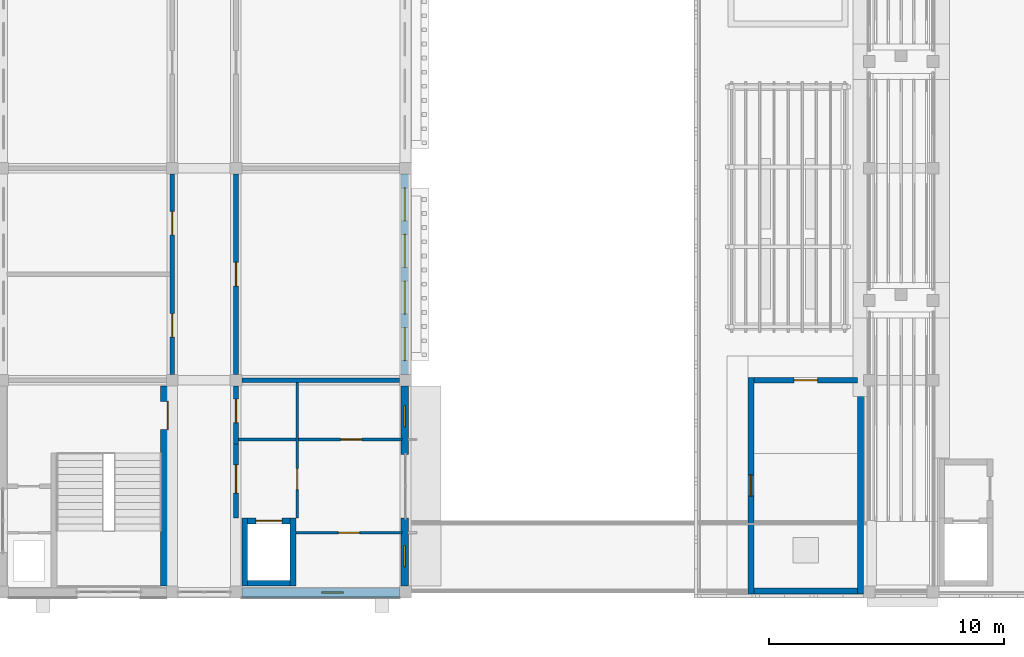
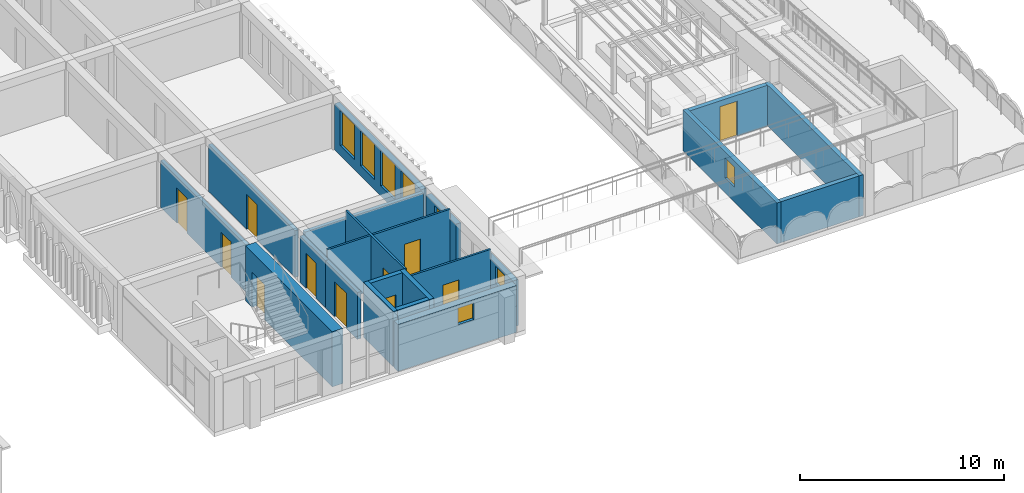
# One storey, part 43 of 70: 21 walls, 11 doors, 8 windows, 19 openings.
"""IFC4 building model written with IfcOpenShell, lengths in metres."""

from ifc_helpers import new_model, si_unit, direction, frame, frame_2d, origin, place, context, subcontext, project, spatial, rectangle, extrude, material, layer, layer_set, type_object, element, fill, save


model = new_model("IFC4")

# Units and contexts
model_context = context("Model", 3, precision=1e-05, world=origin(), true_north=direction((0.0, 1.0)))
body_context = subcontext(model_context, "Body", "Model", "MODEL_VIEW")
ifc_project = project(units=[si_unit("LENGTHUNIT", "METRE"), si_unit("AREAUNIT", "SQUARE_METRE"), si_unit("VOLUMEUNIT", "CUBIC_METRE"), si_unit("PLANEANGLEUNIT", "RADIAN"), si_unit("MASSUNIT", "GRAM", prefix="KILO")], contexts=[model_context])

# Site, building, storey
site_placement = place(None, origin())
site = spatial("IfcSite", under=ifc_project, at=site_placement, CompositionType="ELEMENT")
building_placement = place(site_placement, origin())
building = spatial("IfcBuilding", under=site, at=building_placement, Name="Elbe Cascade School", CompositionType="ELEMENT")
storey_placement = place(building_placement, frame((0.0, 0.0, 8.10009765625)))
storey = spatial("IfcBuildingStorey", under=building, at=storey_placement, Name="L02", CompositionType="ELEMENT", Elevation=8.10009765625)

# Wall, opening, door
ifc_material_1 = material(Name="Masonry - lime-sand block, plastered", Category="masonry")
ifc_layer_1 = layer(ifc_material_1, 0.199951171875)
ifc_layer_set_1 = layer_set([ifc_layer_1], Name="Masonry - lime-sand block, plastered")
wall_type_1 = type_object("IfcWallType", Name="Bar corridor wall lime-sand block 200 EI 30", PredefinedType="PARTITIONING", material=ifc_layer_set_1)
wall_1_placement = place(storey_placement, frame((138.10009765625, 12.300048828125, 0.0), z_axis=(0.0, 0.0, 1.0), x_axis=(0.0, -1.0, 0.0)))
wall_1 = element("IfcWall", 1, at=wall_1_placement, inside=storey, type_object=wall_type_1, Name="Bar corridor wall lime-sand block 200 EI 30", PredefinedType="PARTITIONING", context=body_context, shape_type="SweptSolid", body=[
    extrude(rectangle(XDim=3.150146484375, YDim=0.199951171875, at=frame_2d((1.5751953125, 0.0))), origin(), (0.0, 0.0, 1.0), 2.7998046875),
])
opening_1_placement = place(wall_1_placement, frame((0.89990234375, 0.0, 0.0)))
opening_1 = element("IfcOpeningElement", 2, at=opening_1_placement, cuts=wall_1, Name="Opening D2.058", PredefinedType="OPENING", context=body_context, shape_type="SweptSolid", body=[
    extrude(rectangle(XDim=1.199951171875, YDim=2.10009765625, at=frame_2d((0.60009765625, 1.050048828125))), frame((0.0, 0.10986328125, 0.0), z_axis=(0.0, -1.0, 0.0), x_axis=(1.0, 0.0, 0.0)), (0.0, 0.0, 1.0), 0.219970703125),
])
ifc_material_2 = material(Name="Timber door leaf, fire-resisting and smoke-tight, steel frame", Category="steel")
door_type_1 = type_object("IfcDoorType", Name="Bar door FD30S 1200x2100", OperationType="NOTDEFINED", PredefinedType="DOOR", material=ifc_material_2)
door_1_placement = place(opening_1_placement, origin())
door_1 = element("IfcDoor", 3, at=door_1_placement, inside=storey, type_object=door_type_1, Name="Door C2.06", OperationType="SINGLE_SWING_LEFT", OverallHeight=2.10009765625, OverallWidth=1.199951171875, PredefinedType="DOOR", context=body_context, shape_type="SweptSolid", body=[
    extrude(rectangle(XDim=1.199951171875, YDim=2.10009765625, at=frame_2d((0.60009765625, 1.050048828125))), frame((0.0, 0.02490234375, 0.0), z_axis=(0.0, -1.0, 0.0), x_axis=(1.0, 0.0, 0.0)), (0.0, 0.0, 1.0), 0.050048828125),
])
fill(opening_1, door_1)

wall_2_placement = place(storey_placement, frame((138.10009765625, 12.300048828125, 0.0), z_axis=(0.0, 0.0, 1.0), x_axis=(0.0, 1.0, 0.0)))
wall_2 = element("IfcWall", 4, at=wall_2_placement, inside=storey, type_object=wall_type_1, Name="Bar corridor wall lime-sand block 200 EI 30", PredefinedType="PARTITIONING", context=body_context, shape_type="SweptSolid", body=[
    extrude(rectangle(XDim=2.449951171875, YDim=0.199951171875, at=frame_2d((1.22509765625, 0.0))), origin(), (0.0, 0.0, 1.0), 2.7998046875),
])
opening_2_placement = place(wall_2_placement, frame((0.89990234375, 0.0, 0.0)))
opening_2 = element("IfcOpeningElement", 5, at=opening_2_placement, cuts=wall_2, Name="Opening D2.062", PredefinedType="OPENING", context=body_context, shape_type="SweptSolid", body=[
    extrude(rectangle(XDim=1.0, YDim=2.10009765625, at=frame_2d((0.5, 1.050048828125))), frame((0.0, 0.10986328125, 0.0), z_axis=(0.0, -1.0, 0.0), x_axis=(1.0, 0.0, 0.0)), (0.0, 0.0, 1.0), 0.219970703125),
])
ifc_material_3 = material(Name="Timber door leaf, fire-resisting, steel frame", Category="steel")
door_type_2 = type_object("IfcDoorType", Name="Bar door FD30 1000x2100", OperationType="NOTDEFINED", PredefinedType="DOOR", material=ifc_material_3)
door_2_placement = place(opening_2_placement, origin())
door_2 = element("IfcDoor", 6, at=door_2_placement, inside=storey, type_object=door_type_2, Name="Door C2.10", OperationType="SINGLE_SWING_RIGHT", OverallHeight=2.10009765625, OverallWidth=1.0, PredefinedType="DOOR", context=body_context, shape_type="SweptSolid", body=[
    extrude(rectangle(XDim=1.0, YDim=2.10009765625, at=frame_2d((0.5, 1.050048828125))), frame((0.0, 0.02490234375, 0.0), z_axis=(0.0, -1.0, 0.0), x_axis=(1.0, 0.0, 0.0)), (0.0, 0.0, 1.0), 0.050048828125),
])
fill(opening_2, door_2)

# Wall, openings, doors
wall_3_placement = place(storey_placement, frame((135.39990234375, 15.25, 0.0), z_axis=(0.0, 0.0, 1.0), x_axis=(0.0, 1.0, 0.0)))
wall_3 = element("IfcWall", 7, at=wall_3_placement, inside=storey, type_object=wall_type_1, Name="Bar corridor wall lime-sand block 200 EI 30", PredefinedType="PARTITIONING", context=body_context, shape_type="SweptSolid", body=[
    extrude(rectangle(XDim=8.5, YDim=0.199951171875, at=frame_2d((4.25, 0.0))), origin(), (0.0, 0.0, 1.0), 2.7998046875),
])
opening_3_placement = place(wall_3_placement, frame((1.581298828125, 0.0, 0.0)))
opening_3 = element("IfcOpeningElement", 8, at=opening_3_placement, cuts=wall_3, Name="Opening D2.063", PredefinedType="OPENING", context=body_context, shape_type="SweptSolid", body=[
    extrude(rectangle(XDim=1.0, YDim=2.10009765625, at=frame_2d((0.5, 1.050048828125))), frame((0.0, 0.10986328125, 0.0), z_axis=(0.0, -1.0, 0.0), x_axis=(1.0, 0.0, 0.0)), (0.0, 0.0, 1.0), 0.219970703125),
])
opening_4_placement = place(wall_3_placement, frame((5.918701171875, 0.0, 0.0)))
opening_4 = element("IfcOpeningElement", 9, at=opening_4_placement, cuts=wall_3, Name="Opening D2.065", PredefinedType="OPENING", context=body_context, shape_type="SweptSolid", body=[
    extrude(rectangle(XDim=1.0, YDim=2.10009765625, at=frame_2d((0.5, 1.050048828125))), frame((0.0, 0.10986328125, 0.0), z_axis=(0.0, -1.0, 0.0), x_axis=(1.0, 0.0, 0.0)), (0.0, 0.0, 1.0), 0.219970703125),
])
door_3_placement = place(opening_3_placement, origin())
door_3 = element("IfcDoor", 10, at=door_3_placement, inside=storey, type_object=door_type_2, Name="Door C2.19", OperationType="SINGLE_SWING_RIGHT", OverallHeight=2.10009765625, OverallWidth=1.0, PredefinedType="DOOR", context=body_context, shape_type="SweptSolid", body=[
    extrude(rectangle(XDim=1.0, YDim=2.10009765625, at=frame_2d((0.5, 1.050048828125))), frame((0.0, 0.02490234375, 0.0), z_axis=(0.0, -1.0, 0.0), x_axis=(1.0, 0.0, 0.0)), (0.0, 0.0, 1.0), 0.050048828125),
])
fill(opening_3, door_3)
door_4_placement = place(opening_4_placement, origin())
door_4 = element("IfcDoor", 11, at=door_4_placement, inside=storey, type_object=door_type_2, Name="Door C2.20", OperationType="SINGLE_SWING_LEFT", OverallHeight=2.10009765625, OverallWidth=1.0, PredefinedType="DOOR", context=body_context, shape_type="SweptSolid", body=[
    extrude(rectangle(XDim=1.0, YDim=2.10009765625, at=frame_2d((0.5, 1.050048828125))), frame((0.0, 0.02490234375, 0.0), z_axis=(0.0, -1.0, 0.0), x_axis=(1.0, 0.0, 0.0)), (0.0, 0.0, 1.0), 0.050048828125),
])
fill(opening_4, door_4)

# Wall, opening, door
wall_4_placement = place(storey_placement, frame((138.10009765625, 23.75, 0.0), z_axis=(0.0, 0.0, 1.0), x_axis=(0.0, -1.0, 0.0)))
wall_4 = element("IfcWall", 12, at=wall_4_placement, inside=storey, type_object=wall_type_1, Name="Bar corridor wall lime-sand block 200 EI 30", PredefinedType="PARTITIONING", context=body_context, shape_type="SweptSolid", body=[
    extrude(rectangle(XDim=8.5, YDim=0.199951171875, at=frame_2d((4.25, 0.0))), origin(), (0.0, 0.0, 1.0), 2.7998046875),
])
opening_5_placement = place(wall_4_placement, frame((3.75, 0.0, 0.0)))
opening_5 = element("IfcOpeningElement", 13, at=opening_5_placement, cuts=wall_4, Name="Opening D2.064", PredefinedType="OPENING", context=body_context, shape_type="SweptSolid", body=[
    extrude(rectangle(XDim=1.0, YDim=2.10009765625, at=frame_2d((0.5, 1.050048828125))), frame((0.0, 0.10986328125, 0.0), z_axis=(0.0, -1.0, 0.0), x_axis=(1.0, 0.0, 0.0)), (0.0, 0.0, 1.0), 0.219970703125),
])
door_5_placement = place(opening_5_placement, origin())
door_5 = element("IfcDoor", 14, at=door_5_placement, inside=storey, type_object=door_type_2, Name="Door C2.24", OperationType="SINGLE_SWING_LEFT", OverallHeight=2.10009765625, OverallWidth=1.0, PredefinedType="DOOR", context=body_context, shape_type="SweptSolid", body=[
    extrude(rectangle(XDim=1.0, YDim=2.10009765625, at=frame_2d((0.5, 1.050048828125))), frame((0.0, 0.02490234375, 0.0), z_axis=(0.0, -1.0, 0.0), x_axis=(1.0, 0.0, 0.0)), (0.0, 0.0, 1.0), 0.050048828125),
])
fill(opening_5, door_5)

ifc_material_4 = material(Name="Masonry - lime-sand block, plastered", Category="masonry")
ifc_layer_2 = layer(ifc_material_4, 0.114990234375)
ifc_layer_set_2 = layer_set([ifc_layer_2], Name="Masonry - lime-sand block, plastered")
wall_type_2 = type_object("IfcWallType", Name="Bar light partition wall lime-sand block 115", PredefinedType="PARTITIONING", material=ifc_layer_set_2)
wall_5_placement = place(storey_placement, frame((140.70751953125, 14.89990234375, 0.0), z_axis=(0.0, 0.0, 1.0), x_axis=(0.0, -1.0, 0.0)))
wall_5 = element("IfcWall", 15, at=wall_5_placement, inside=storey, type_object=wall_type_2, Name="Bar light partition wall lime-sand block 115", PredefinedType="PARTITIONING", context=body_context, shape_type="SweptSolid", body=[
    extrude(rectangle(XDim=5.75, YDim=0.114990234375, at=frame_2d((2.875, 0.0))), origin(), (0.0, 0.0, 1.0), 3.2998046875),
])
opening_6_placement = place(wall_5_placement, frame((3.64990234375, 0.0, 0.0)))
opening_6 = element("IfcOpeningElement", 16, at=opening_6_placement, cuts=wall_5, Name="Opening D2.059", PredefinedType="OPENING", context=body_context, shape_type="SweptSolid", body=[
    extrude(rectangle(XDim=0.89990234375, YDim=2.10009765625, at=frame_2d((0.449951171875, 1.050048828125))), frame((0.0, 0.0673828125, 0.0), z_axis=(0.0, -1.0, 0.0), x_axis=(1.0, 0.0, 0.0)), (0.0, 0.0, 1.0), 0.135009765625),
])
ifc_material_5 = material(Name="Timber door leaf, steel frame", Category="steel")
door_type_3 = type_object("IfcDoorType", Name="Bar door 900x2100", OperationType="NOTDEFINED", PredefinedType="DOOR", material=ifc_material_5)
door_6_placement = place(opening_6_placement, origin())
door_6 = element("IfcDoor", 17, at=door_6_placement, inside=storey, type_object=door_type_3, Name="Door C2.07", OperationType="SINGLE_SWING_LEFT", OverallHeight=2.10009765625, OverallWidth=0.89990234375, PredefinedType="DOOR", context=body_context, shape_type="SweptSolid", body=[
    extrude(rectangle(XDim=0.89990234375, YDim=2.10009765625, at=frame_2d((0.449951171875, 1.050048828125))), frame((0.0, 0.02490234375, 0.0), z_axis=(0.0, -1.0, 0.0), x_axis=(1.0, 0.0, 0.0)), (0.0, 0.0, 1.0), 0.050048828125),
])
fill(opening_6, door_6)

wall_6_placement = place(storey_placement, frame((145.14990234375, 8.52001953125, 0.0), z_axis=(0.0, 0.0, 1.0), x_axis=(-1.0, 0.0, 0.0)))
wall_6 = element("IfcWall", 18, at=wall_6_placement, inside=storey, type_object=wall_type_2, Name="Bar light partition wall lime-sand block 115", PredefinedType="PARTITIONING", context=body_context, shape_type="SweptSolid", body=[
    extrude(rectangle(XDim=4.5, YDim=0.114990234375, at=frame_2d((2.25, 0.0))), origin(), (0.0, 0.0, 1.0), 3.2998046875),
])
opening_7_placement = place(wall_6_placement, frame((1.800048828125, 0.0, 0.0)))
opening_7 = element("IfcOpeningElement", 19, at=opening_7_placement, cuts=wall_6, Name="Opening D2.055", PredefinedType="OPENING", context=body_context, shape_type="SweptSolid", body=[
    extrude(rectangle(XDim=0.89990234375, YDim=2.10009765625, at=frame_2d((0.449951171875, 1.050048828125))), frame((0.0, 0.0673828125, 0.0), z_axis=(0.0, -1.0, 0.0), x_axis=(1.0, 0.0, 0.0)), (0.0, 0.0, 1.0), 0.135009765625),
])
door_7_placement = place(opening_7_placement, origin())
door_7 = element("IfcDoor", 20, at=door_7_placement, inside=storey, type_object=door_type_3, Name="Door C2.08", OperationType="SINGLE_SWING_LEFT", OverallHeight=2.10009765625, OverallWidth=0.89990234375, PredefinedType="DOOR", context=body_context, shape_type="SweptSolid", body=[
    extrude(rectangle(XDim=0.89990234375, YDim=2.10009765625, at=frame_2d((0.449951171875, 1.050048828125))), frame((0.0, 0.02490234375, 0.0), z_axis=(0.0, -1.0, 0.0), x_axis=(1.0, 0.0, 0.0)), (0.0, 0.0, 1.0), 0.050048828125),
])
fill(opening_7, door_7)

wall_7_placement = place(storey_placement, frame((138.199951171875, 12.47998046875, 0.0), z_axis=(0.0, 0.0, 1.0), x_axis=(1.0, 0.0, 0.0)))
wall_7 = element("IfcWall", 21, at=wall_7_placement, inside=storey, type_object=wall_type_2, Name="Bar light partition wall lime-sand block 115", PredefinedType="PARTITIONING", context=body_context, shape_type="SweptSolid", body=[
    extrude(rectangle(XDim=6.949951171875, YDim=0.114990234375, at=frame_2d((3.47509765625, 0.0))), origin(), (0.0, 0.0, 1.0), 3.2998046875),
])
opening_8_placement = place(wall_7_placement, frame((4.35009765625, 0.0, 0.0)))
opening_8 = element("IfcOpeningElement", 22, at=opening_8_placement, cuts=wall_7, Name="Opening D2.060", PredefinedType="OPENING", context=body_context, shape_type="SweptSolid", body=[
    extrude(rectangle(XDim=0.89990234375, YDim=2.10009765625, at=frame_2d((0.449951171875, 1.050048828125))), frame((0.0, 0.0673828125, 0.0), z_axis=(0.0, -1.0, 0.0), x_axis=(1.0, 0.0, 0.0)), (0.0, 0.0, 1.0), 0.135009765625),
])
door_8_placement = place(opening_8_placement, origin())
door_8 = element("IfcDoor", 23, at=door_8_placement, inside=storey, type_object=door_type_3, Name="Door C2.09", OperationType="SINGLE_SWING_RIGHT", OverallHeight=2.10009765625, OverallWidth=0.89990234375, PredefinedType="DOOR", context=body_context, shape_type="SweptSolid", body=[
    extrude(rectangle(XDim=0.89990234375, YDim=2.10009765625, at=frame_2d((0.449951171875, 1.050048828125))), frame((0.0, 0.02490234375, 0.0), z_axis=(0.0, -1.0, 0.0), x_axis=(1.0, 0.0, 0.0)), (0.0, 0.0, 1.0), 0.050048828125),
])
fill(opening_8, door_8)

# Wall
ifc_material_6 = material(Name="Masonry - lime-sand block, plastered", Category="masonry")
ifc_layer_3 = layer(ifc_material_6, 0.199951171875)
ifc_layer_set_3 = layer_set([ifc_layer_3], Name="Masonry - lime-sand block, plastered")
wall_type_3 = type_object("IfcWallType", Name="Bar partition wall lime-sand block 200", PredefinedType="PARTITIONING", material=ifc_layer_set_3)
wall_8_placement = place(storey_placement, frame((138.35009765625, 15.0, 0.0), z_axis=(0.0, 0.0, 1.0), x_axis=(1.0, 0.0, 0.0)))
element("IfcWall", 24, at=wall_8_placement, inside=storey, type_object=wall_type_3, Name="Bar partition wall lime-sand block 200", PredefinedType="PARTITIONING", context=body_context, shape_type="SweptSolid", body=[
    extrude(rectangle(XDim=6.699951171875, YDim=0.199951171875, at=frame_2d((3.35009765625, 0.0))), origin(), (0.0, 0.0, 1.0), 2.7998046875),
])

# Wall, opening, door
ifc_material_7 = material(Name="Concrete C30/37", Category="concrete")
ifc_layer_4 = layer(ifc_material_7, 0.60009765625)
ifc_layer_set_4 = layer_set([ifc_layer_4], Name="Concrete C30/37")
wall_type_4 = type_object("IfcWallType", Name="Bar stair core wall RC 600", PredefinedType="SOLIDWALL", material=ifc_layer_set_4)
wall_9_placement = place(storey_placement, frame((135.199951171875, 6.25, 0.0), z_axis=(0.0, 0.0, 1.0), x_axis=(0.0, 1.0, 0.0)))
wall_9 = element("IfcWall", 25, at=wall_9_placement, inside=storey, type_object=wall_type_4, Name="Bar stair core wall RC 600", PredefinedType="SOLIDWALL", context=body_context, shape_type="SweptSolid", body=[
    extrude(rectangle(XDim=8.5, YDim=0.60009765625, at=frame_2d((4.25, 0.0))), origin(), (0.0, 0.0, 1.0), 3.2998046875),
])
opening_9_placement = place(wall_9_placement, frame((6.64990234375, 0.0, 0.0)))
opening_9 = element("IfcOpeningElement", 26, at=opening_9_placement, cuts=wall_9, Name="Opening D2.061", PredefinedType="OPENING", context=body_context, shape_type="SweptSolid", body=[
    extrude(rectangle(XDim=1.199951171875, YDim=2.10009765625, at=frame_2d((0.60009765625, 1.050048828125))), frame((0.0, 0.31005859375, 0.0), z_axis=(0.0, -1.0, 0.0), x_axis=(1.0, 0.0, 0.0)), (0.0, 0.0, 1.0), 0.6201171875),
])
door_9_placement = place(opening_9_placement, origin())
door_9 = element("IfcDoor", 27, at=door_9_placement, inside=storey, type_object=door_type_1, Name="Door C2.03", OperationType="SINGLE_SWING_RIGHT", OverallHeight=2.10009765625, OverallWidth=1.199951171875, PredefinedType="DOOR", context=body_context, shape_type="SweptSolid", body=[
    extrude(rectangle(XDim=1.199951171875, YDim=2.10009765625, at=frame_2d((0.60009765625, 1.050048828125))), frame((0.0, 0.02490234375, 0.0), z_axis=(0.0, -1.0, 0.0), x_axis=(1.0, 0.0, 0.0)), (0.0, 0.0, 1.0), 0.050048828125),
])
fill(opening_9, door_9)

# Wall, opening, window
ifc_material_8 = material(Name="Brick masonry - red clinker, cavity wall with render backing", Category="masonry")
ifc_layer_5 = layer(ifc_material_8, 0.300048828125)
ifc_layer_set_5 = layer_set([ifc_layer_5], Name="Brick masonry - red clinker, cavity wall with render backing")
wall_type_5 = type_object("IfcWallType", Name="Bars envelope External wall - clinker brick cavity, 300 upper floors", PredefinedType="STANDARD", material=ifc_layer_set_5)
wall_10_placement = place(storey_placement, frame((145.27001953125, 9.14990234375, 0.0), z_axis=(0.0, 0.0, 1.0), x_axis=(0.0, -1.0, 0.0)))
wall_10 = element("IfcWall", 28, at=wall_10_placement, inside=storey, type_object=wall_type_5, Name="External wall W30 C.L02.e1a", PredefinedType="STANDARD", context=body_context, shape_type="SweptSolid", body=[
    extrude(rectangle(XDim=2.89990234375, YDim=0.300048828125, at=frame_2d((1.449951171875, 0.0))), origin(), (0.0, 0.0, 1.0), 2.75),
])
opening_10_placement = place(wall_10_placement, frame((1.169921875, 0.0, 1.60009765625)))
opening_10 = element("IfcOpeningElement", 29, at=opening_10_placement, cuts=wall_10, Name="Opening W2.080", PredefinedType="OPENING", context=body_context, shape_type="SweptSolid", body=[
    extrude(rectangle(XDim=0.89990234375, YDim=1.0, at=frame_2d((0.449951171875, 0.5))), frame((0.0, 0.159912109375, 0.0), z_axis=(0.0, -1.0, 0.0), x_axis=(1.0, 0.0, 0.0)), (0.0, 0.0, 1.0), 0.320068359375),
])
ifc_material_9 = material(Name="Aluminium frame with double glazing, bronze anodised", Category="aluminium")
window_type_1 = type_object("IfcWindowType", Name="Bars envelope Window 900 x 1000, WC and service room, high level, aluminium double glazed", PartitioningType="SINGLE_PANEL", PredefinedType="WINDOW", material=ifc_material_9)
window_1_placement = place(opening_10_placement, origin())
window_1 = element("IfcWindow", 30, at=window_1_placement, inside=storey, type_object=window_type_1, Name="Window WN4 C.L02.e1a.1", OverallHeight=1.0, OverallWidth=0.89990234375, PartitioningType="SINGLE_PANEL", PredefinedType="WINDOW", context=body_context, shape_type="SweptSolid", body=[
    extrude(rectangle(XDim=0.89990234375, YDim=1.0, at=frame_2d((0.449951171875, 0.5))), frame((0.0, 0.030029296875, 0.0), z_axis=(0.0, -1.0, 0.0), x_axis=(1.0, 0.0, 0.0)), (0.0, 0.0, 1.0), 0.06005859375),
])
fill(opening_10, window_1)

wall_11_placement = place(storey_placement, frame((145.27001953125, 14.75, 0.0), z_axis=(0.0, 0.0, 1.0), x_axis=(0.0, -1.0, 0.0)))
wall_11 = element("IfcWall", 31, at=wall_11_placement, inside=storey, type_object=wall_type_5, Name="External wall W30 C.L02.e1b", PredefinedType="STANDARD", context=body_context, shape_type="SweptSolid", body=[
    extrude(rectangle(XDim=2.89990234375, YDim=0.300048828125, at=frame_2d((1.449951171875, 0.0))), origin(), (0.0, 0.0, 1.0), 2.75),
])
opening_11_placement = place(wall_11_placement, frame((0.830078125, 0.0, 1.60009765625)))
opening_11 = element("IfcOpeningElement", 32, at=opening_11_placement, cuts=wall_11, Name="Opening W2.081", PredefinedType="OPENING", context=body_context, shape_type="SweptSolid", body=[
    extrude(rectangle(XDim=0.89990234375, YDim=1.0, at=frame_2d((0.449951171875, 0.5))), frame((0.0, 0.159912109375, 0.0), z_axis=(0.0, -1.0, 0.0), x_axis=(1.0, 0.0, 0.0)), (0.0, 0.0, 1.0), 0.320068359375),
])
window_2_placement = place(opening_11_placement, origin())
window_2 = element("IfcWindow", 33, at=window_2_placement, inside=storey, type_object=window_type_1, Name="Window WN4 C.L02.e1b.1", OverallHeight=1.0, OverallWidth=0.89990234375, PartitioningType="SINGLE_PANEL", PredefinedType="WINDOW", context=body_context, shape_type="SweptSolid", body=[
    extrude(rectangle(XDim=0.89990234375, YDim=1.0, at=frame_2d((0.449951171875, 0.5))), frame((0.0, 0.030029296875, 0.0), z_axis=(0.0, -1.0, 0.0), x_axis=(1.0, 0.0, 0.0)), (0.0, 0.0, 1.0), 0.06005859375),
])
fill(opening_11, window_2)

# Wall, openings, windows
wall_12_placement = place(storey_placement, frame((145.27001953125, 23.75, 0.0), z_axis=(0.0, 0.0, 1.0), x_axis=(0.0, -1.0, 0.0)))
wall_12 = element("IfcWall", 34, at=wall_12_placement, inside=storey, type_object=wall_type_5, Name="External wall W30 C.L02.e2", PredefinedType="STANDARD", context=body_context, shape_type="SweptSolid", body=[
    extrude(rectangle(XDim=8.5, YDim=0.300048828125, at=frame_2d((4.25, 0.0))), origin(), (0.0, 0.0, 1.0), 2.75),
])
opening_12_placement = place(wall_12_placement, frame((6.52001953125, 0.0, 0.60009765625)))
opening_12 = element("IfcOpeningElement", 35, at=opening_12_placement, cuts=wall_12, Name="Opening W2.083", PredefinedType="OPENING", context=body_context, shape_type="SweptSolid", body=[
    extrude(rectangle(XDim=1.39990234375, YDim=2.10009765625, at=frame_2d((0.699951171875, 1.050048828125))), frame((0.0, 0.159912109375, 0.0), z_axis=(0.0, -1.0, 0.0), x_axis=(1.0, 0.0, 0.0)), (0.0, 0.0, 1.0), 0.320068359375),
])
opening_13_placement = place(wall_12_placement, frame((4.5400390625, 0.0, 0.60009765625)))
opening_13 = element("IfcOpeningElement", 36, at=opening_13_placement, cuts=wall_12, Name="Opening W2.085", PredefinedType="OPENING", context=body_context, shape_type="SweptSolid", body=[
    extrude(rectangle(XDim=1.39990234375, YDim=2.10009765625, at=frame_2d((0.699951171875, 1.050048828125))), frame((0.0, 0.159912109375, 0.0), z_axis=(0.0, -1.0, 0.0), x_axis=(1.0, 0.0, 0.0)), (0.0, 0.0, 1.0), 0.320068359375),
])
opening_14_placement = place(wall_12_placement, frame((2.56005859375, 0.0, 0.60009765625)))
opening_14 = element("IfcOpeningElement", 37, at=opening_14_placement, cuts=wall_12, Name="Opening W2.087", PredefinedType="OPENING", context=body_context, shape_type="SweptSolid", body=[
    extrude(rectangle(XDim=1.39990234375, YDim=2.10009765625, at=frame_2d((0.699951171875, 1.050048828125))), frame((0.0, 0.159912109375, 0.0), z_axis=(0.0, -1.0, 0.0), x_axis=(1.0, 0.0, 0.0)), (0.0, 0.0, 1.0), 0.320068359375),
])
opening_15_placement = place(wall_12_placement, frame((0.580078125, 0.0, 0.60009765625)))
opening_15 = element("IfcOpeningElement", 38, at=opening_15_placement, cuts=wall_12, Name="Opening W2.089", PredefinedType="OPENING", context=body_context, shape_type="SweptSolid", body=[
    extrude(rectangle(XDim=1.39990234375, YDim=2.10009765625, at=frame_2d((0.699951171875, 1.050048828125))), frame((0.0, 0.159912109375, 0.0), z_axis=(0.0, -1.0, 0.0), x_axis=(1.0, 0.0, 0.0)), (0.0, 0.0, 1.0), 0.320068359375),
])
ifc_material_10 = material(Name="Aluminium frame with double glazing, bronze anodised", Category="aluminium")
window_type_2 = type_object("IfcWindowType", Name="Bars envelope Window 1400 x 2100, classroom, aluminium double glazed", PartitioningType="DOUBLE_PANEL_VERTICAL", PredefinedType="WINDOW", material=ifc_material_10)
window_3_placement = place(opening_12_placement, origin())
window_3 = element("IfcWindow", 39, at=window_3_placement, inside=storey, type_object=window_type_2, Name="Window WN8 C.L02.e2.1", OverallHeight=2.10009765625, OverallWidth=1.39990234375, PartitioningType="DOUBLE_PANEL_VERTICAL", PredefinedType="WINDOW", context=body_context, shape_type="SweptSolid", body=[
    extrude(rectangle(XDim=1.39990234375, YDim=2.10009765625, at=frame_2d((0.699951171875, 1.050048828125))), frame((0.0, 0.030029296875, 0.0), z_axis=(0.0, -1.0, 0.0), x_axis=(1.0, 0.0, 0.0)), (0.0, 0.0, 1.0), 0.06005859375),
])
fill(opening_12, window_3)
window_4_placement = place(opening_13_placement, origin())
window_4 = element("IfcWindow", 40, at=window_4_placement, inside=storey, type_object=window_type_2, Name="Window WN8 C.L02.e2.2", OverallHeight=2.10009765625, OverallWidth=1.39990234375, PartitioningType="DOUBLE_PANEL_VERTICAL", PredefinedType="WINDOW", context=body_context, shape_type="SweptSolid", body=[
    extrude(rectangle(XDim=1.39990234375, YDim=2.10009765625, at=frame_2d((0.699951171875, 1.050048828125))), frame((0.0, 0.030029296875, 0.0), z_axis=(0.0, -1.0, 0.0), x_axis=(1.0, 0.0, 0.0)), (0.0, 0.0, 1.0), 0.06005859375),
])
fill(opening_13, window_4)
window_5_placement = place(opening_14_placement, origin())
window_5 = element("IfcWindow", 41, at=window_5_placement, inside=storey, type_object=window_type_2, Name="Window WN8 C.L02.e2.3", OverallHeight=2.10009765625, OverallWidth=1.39990234375, PartitioningType="DOUBLE_PANEL_VERTICAL", PredefinedType="WINDOW", context=body_context, shape_type="SweptSolid", body=[
    extrude(rectangle(XDim=1.39990234375, YDim=2.10009765625, at=frame_2d((0.699951171875, 1.050048828125))), frame((0.0, 0.030029296875, 0.0), z_axis=(0.0, -1.0, 0.0), x_axis=(1.0, 0.0, 0.0)), (0.0, 0.0, 1.0), 0.06005859375),
])
fill(opening_14, window_5)
window_6_placement = place(opening_15_placement, origin())
window_6 = element("IfcWindow", 42, at=window_6_placement, inside=storey, type_object=window_type_2, Name="Window WN8 C.L02.e2.4", OverallHeight=2.10009765625, OverallWidth=1.39990234375, PartitioningType="DOUBLE_PANEL_VERTICAL", PredefinedType="WINDOW", context=body_context, shape_type="SweptSolid", body=[
    extrude(rectangle(XDim=1.39990234375, YDim=2.10009765625, at=frame_2d((0.699951171875, 1.050048828125))), frame((0.0, 0.030029296875, 0.0), z_axis=(0.0, -1.0, 0.0), x_axis=(1.0, 0.0, 0.0)), (0.0, 0.0, 1.0), 0.06005859375),
])
fill(opening_15, window_6)

# Wall, opening, window
ifc_material_11 = material(Name="Brick masonry - red clinker, solid, sandstone-faced", Category="masonry")
ifc_layer_6 = layer(ifc_material_11, 0.39990234375)
ifc_layer_set_6 = layer_set([ifc_layer_6], Name="Brick masonry - red clinker, solid, sandstone-faced")
wall_type_6 = type_object("IfcWallType", Name="Bars envelope External wall - solid masonry core strip, sandstone faced, 400", PredefinedType="STANDARD", material=ifc_layer_set_6)
wall_13_placement = place(storey_placement, frame((145.050048828125, 5.97998046875, 0.0), z_axis=(0.0, 0.0, 1.0), x_axis=(-1.0, 0.0, 0.0)))
wall_13 = element("IfcWall", 43, at=wall_13_placement, inside=storey, type_object=wall_type_6, Name="External wall W31 C.L02.s3", PredefinedType="STANDARD", context=body_context, shape_type="SweptSolid", body=[
    extrude(rectangle(XDim=6.699951171875, YDim=0.39990234375, at=frame_2d((3.35009765625, 0.0))), origin(), (0.0, 0.0, 1.0), 2.7998046875),
])
opening_16_placement = place(wall_13_placement, frame((2.39990234375, 0.0, 1.60009765625)))
opening_16 = element("IfcOpeningElement", 44, at=opening_16_placement, cuts=wall_13, Name="Opening W2.079", PredefinedType="OPENING", context=body_context, shape_type="SweptSolid", body=[
    extrude(rectangle(XDim=0.89990234375, YDim=1.0, at=frame_2d((0.449951171875, 0.5))), frame((0.0, 0.2099609375, 0.0), z_axis=(0.0, -1.0, 0.0), x_axis=(1.0, 0.0, 0.0)), (0.0, 0.0, 1.0), 0.419921875),
])
window_7_placement = place(opening_16_placement, origin())
window_7 = element("IfcWindow", 45, at=window_7_placement, inside=storey, type_object=window_type_1, Name="Window WN4 C.L02.s3.1", OverallHeight=1.0, OverallWidth=0.89990234375, PartitioningType="SINGLE_PANEL", PredefinedType="WINDOW", context=body_context, shape_type="SweptSolid", body=[
    extrude(rectangle(XDim=0.89990234375, YDim=1.0, at=frame_2d((0.449951171875, 0.5))), frame((0.0, 0.030029296875, 0.0), z_axis=(0.0, -1.0, 0.0), x_axis=(1.0, 0.0, 0.0)), (0.0, 0.0, 1.0), 0.06005859375),
])
fill(opening_16, window_7)

ifc_material_12 = material(Name="Concrete C30/37", Category="concrete")
ifc_layer_7 = layer(ifc_material_12, 0.25)
ifc_layer_set_7 = layer_set([ifc_layer_7], Name="Concrete C30/37")
wall_type_7 = type_object("IfcWallType", Name="Head-house wall 250", PredefinedType="SOLIDWALL", material=ifc_layer_set_7)
wall_14_placement = place(storey_placement, frame((159.97509765625, 5.929931640625, 0.0), z_axis=(0.0, 0.0, 1.0), x_axis=(0.0, 1.0, 0.0)))
wall_14 = element("IfcWall", 46, at=wall_14_placement, inside=storey, type_object=wall_type_7, Name="Head-house wall 250 W2", PredefinedType="SOLIDWALL", context=body_context, shape_type="SweptSolid", body=[
    extrude(rectangle(XDim=9.195068359375, YDim=0.25, at=frame_2d((4.59765625, 0.0))), origin(), (0.0, 0.0, 1.0), 2.449951171875),
])
opening_17_placement = place(wall_14_placement, frame((4.1474609375, 0.0, 0.89990234375)))
opening_17 = element("IfcOpeningElement", 47, at=opening_17_placement, cuts=wall_14, Name="Opening W2.121", PredefinedType="OPENING", context=body_context, shape_type="SweptSolid", body=[
    extrude(rectangle(XDim=0.89990234375, YDim=1.199951171875, at=frame_2d((0.449951171875, 0.60009765625))), frame((0.0, 0.135009765625, 0.0), z_axis=(0.0, -1.0, 0.0), x_axis=(1.0, 0.0, 0.0)), (0.0, 0.0, 1.0), 0.27001953125),
])
ifc_material_13 = material(Name="Aluminium frame with double glazing, bronze anodised", Category="aluminium")
window_type_3 = type_object("IfcWindowType", Name="Bars envelope Head-house window 900 x 1200, stair daylight, aluminium double glazed", PartitioningType="SINGLE_PANEL", PredefinedType="WINDOW", material=ifc_material_13)
window_8_placement = place(opening_17_placement, origin())
window_8 = element("IfcWindow", 48, at=window_8_placement, inside=storey, type_object=window_type_3, Name="Window WN10 D.L02.head-house south", OverallHeight=1.199951171875, OverallWidth=0.89990234375, PartitioningType="SINGLE_PANEL", PredefinedType="WINDOW", context=body_context, shape_type="SweptSolid", body=[
    extrude(rectangle(XDim=0.89990234375, YDim=1.199951171875, at=frame_2d((0.449951171875, 0.60009765625))), frame((0.0, 0.030029296875, 0.0), z_axis=(0.0, -1.0, 0.0), x_axis=(1.0, 0.0, 0.0)), (0.0, 0.0, 1.0), 0.06005859375),
])
fill(opening_17, window_8)

# Walls
wall_15_placement = place(storey_placement, frame((164.625, 5.929931640625, 0.0), z_axis=(0.0, 0.0, 1.0), x_axis=(0.0, 1.0, 0.0)))
element("IfcWall", 49, at=wall_15_placement, inside=storey, type_object=wall_type_7, Name="Head-house wall 250 W2", PredefinedType="SOLIDWALL", context=body_context, shape_type="SweptSolid", body=[
    extrude(rectangle(XDim=9.195068359375, YDim=0.25, at=frame_2d((4.59765625, 0.0))), origin(), (0.0, 0.0, 1.0), 2.449951171875),
])
wall_16_placement = place(storey_placement, frame((160.10009765625, 6.054931640625, 0.0), z_axis=(0.0, 0.0, 1.0), x_axis=(1.0, 0.0, 0.0)))
element("IfcWall", 50, at=wall_16_placement, inside=storey, type_object=wall_type_7, Name="Head-house wall 250 W2", PredefinedType="SOLIDWALL", context=body_context, shape_type="SweptSolid", body=[
    extrude(rectangle(XDim=4.39990234375, YDim=0.25, at=frame_2d((2.199951171875, 0.0))), origin(), (0.0, 0.0, 1.0), 2.449951171875),
])

# Wall, opening, door
wall_17_placement = place(storey_placement, frame((160.10009765625, 15.0, 0.0), z_axis=(0.0, 0.0, 1.0), x_axis=(1.0, 0.0, 0.0)))
wall_17 = element("IfcWall", 51, at=wall_17_placement, inside=storey, type_object=wall_type_7, Name="Head-house wall 250 W2", PredefinedType="SOLIDWALL", context=body_context, shape_type="SweptSolid", body=[
    extrude(rectangle(XDim=4.39990234375, YDim=0.25, at=frame_2d((2.199951171875, 0.0))), origin(), (0.0, 0.0, 1.0), 2.449951171875),
])
opening_18_placement = place(wall_17_placement, frame((1.699951171875, 0.0, 0.0)))
opening_18 = element("IfcOpeningElement", 52, at=opening_18_placement, cuts=wall_17, Name="Opening D2.082", PredefinedType="OPENING", context=body_context, shape_type="SweptSolid", body=[
    extrude(rectangle(XDim=1.0, YDim=2.10009765625, at=frame_2d((0.5, 1.050048828125))), frame((0.0, 0.135009765625, 0.0), z_axis=(0.0, -1.0, 0.0), x_axis=(1.0, 0.0, 0.0)), (0.0, 0.0, 1.0), 0.27001953125),
])
ifc_material_14 = material(Name="Head-house door 1000x2100")
door_type_4 = type_object("IfcDoorType", Name="Head-house door 1000x2100", OperationType="SINGLE_SWING_RIGHT", PredefinedType="DOOR", material=ifc_material_14)
door_10_placement = place(opening_18_placement, origin())
door_10 = element("IfcDoor", 53, at=door_10_placement, inside=storey, type_object=door_type_4, Name="Head-house door 1000x2100 D2.082", OperationType="SINGLE_SWING_RIGHT", OverallHeight=2.10009765625, OverallWidth=1.0, PredefinedType="DOOR", context=body_context, shape_type="SweptSolid", body=[
    extrude(rectangle(XDim=1.0, YDim=2.10009765625, at=frame_2d((0.5, 1.050048828125))), frame((0.0, 0.02490234375, 0.0), z_axis=(0.0, -1.0, 0.0), x_axis=(1.0, 0.0, 0.0)), (0.0, 0.0, 1.0), 0.050048828125),
])
fill(opening_18, door_10)

# Walls
ifc_material_15 = material(Name="Concrete C30/37", Category="concrete")
ifc_layer_8 = layer(ifc_material_15, 0.25)
ifc_layer_set_8 = layer_set([ifc_layer_8], Name="Concrete C30/37")
wall_type_8 = type_object("IfcWallType", Name="Shaft wall 250", PredefinedType="SHEAR", material=ifc_layer_set_8)
for number, where, z_axis, x_axis, name in (
    (54, (138.47509765625, 6.25, 0.0), (0.0, 0.0, 1.0), (0.0, 1.0, 0.0), "Shaft wall 250 W1"),
    (55, (140.52490234375, 6.25, 0.0), (0.0, 0.0, 1.0), (0.0, 1.0, 0.0), "Shaft wall 250 W1"),
):
    element("IfcWall", number, at=place(storey_placement, frame(where, z_axis=z_axis, x_axis=x_axis)), inside=storey, type_object=wall_type_8, Name=name, PredefinedType="SHEAR", context=body_context, shape_type="SweptSolid", body=[
        extrude(rectangle(XDim=2.89990234375, YDim=0.25, at=frame_2d((1.449951171875, 0.0))), origin(), (0.0, 0.0, 1.0), 3.2998046875),
    ])
wall_18_placement = place(storey_placement, frame((138.60009765625, 6.375, 0.0), z_axis=(0.0, 0.0, 1.0), x_axis=(1.0, 0.0, 0.0)))
element("IfcWall", 56, at=wall_18_placement, inside=storey, type_object=wall_type_8, Name="Shaft wall 250 W1", PredefinedType="SHEAR", context=body_context, shape_type="SweptSolid", body=[
    extrude(rectangle(XDim=1.7998046875, YDim=0.25, at=frame_2d((0.89990234375, 0.0))), origin(), (0.0, 0.0, 1.0), 3.2998046875),
])

# Wall, opening, door
wall_19_placement = place(storey_placement, frame((138.60009765625, 9.02490234375, 0.0), z_axis=(0.0, 0.0, 1.0), x_axis=(1.0, 0.0, 0.0)))
wall_19 = element("IfcWall", 57, at=wall_19_placement, inside=storey, type_object=wall_type_8, Name="Shaft wall 250 W1", PredefinedType="SHEAR", context=body_context, shape_type="SweptSolid", body=[
    extrude(rectangle(XDim=1.7998046875, YDim=0.25, at=frame_2d((0.89990234375, 0.0))), origin(), (0.0, 0.0, 1.0), 3.2998046875),
])
opening_19_placement = place(wall_19_placement, frame((0.35009765625, 0.0, 0.0)))
opening_19 = element("IfcOpeningElement", 58, at=opening_19_placement, cuts=wall_19, Name="Opening D2.056", PredefinedType="OPENING", context=body_context, shape_type="SweptSolid", body=[
    extrude(rectangle(XDim=1.10009765625, YDim=2.10009765625, at=frame_2d((0.550048828125, 1.050048828125))), frame((0.0, 0.135009765625, 0.0), z_axis=(0.0, -1.0, 0.0), x_axis=(1.0, 0.0, 0.0)), (0.0, 0.0, 1.0), 0.27001953125),
])
ifc_material_16 = material(Name="Stainless steel sliding door leaf", Category="steel")
door_type_5 = type_object("IfcDoorType", Name="Bar lift landing door 1100x2100", OperationType="SLIDING_TO_LEFT", PredefinedType="DOOR", material=ifc_material_16)
door_11_placement = place(opening_19_placement, origin())
door_11 = element("IfcDoor", 59, at=door_11_placement, inside=storey, type_object=door_type_5, Name="Lift landing door LDC2.1", OperationType="SLIDING_TO_LEFT", OverallHeight=2.10009765625, OverallWidth=1.10009765625, PredefinedType="DOOR", context=body_context, shape_type="SweptSolid", body=[
    extrude(rectangle(XDim=1.10009765625, YDim=2.10009765625, at=frame_2d((0.550048828125, 1.050048828125))), frame((0.0, 0.02490234375, 0.0), z_axis=(0.0, -1.0, 0.0), x_axis=(1.0, 0.0, 0.0)), (0.0, 0.0, 1.0), 0.050048828125),
])
fill(opening_19, door_11)

save(model, "model.ifc")
